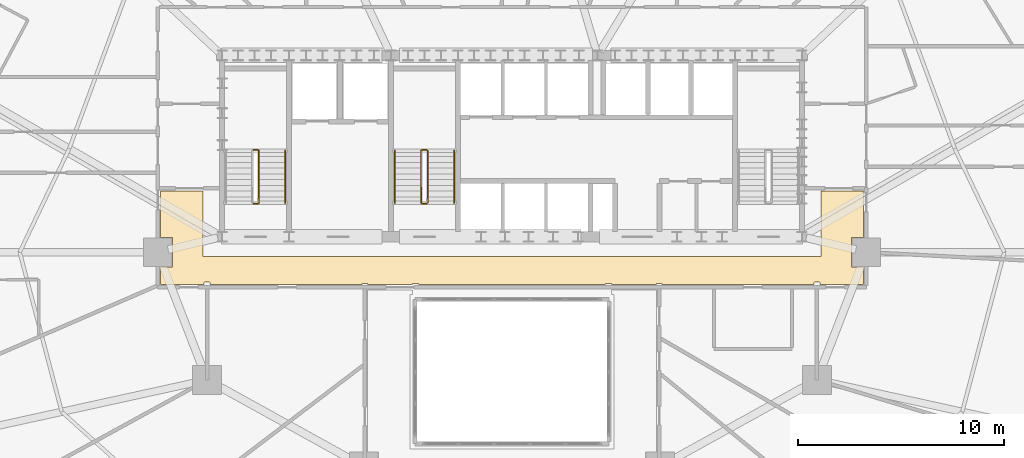
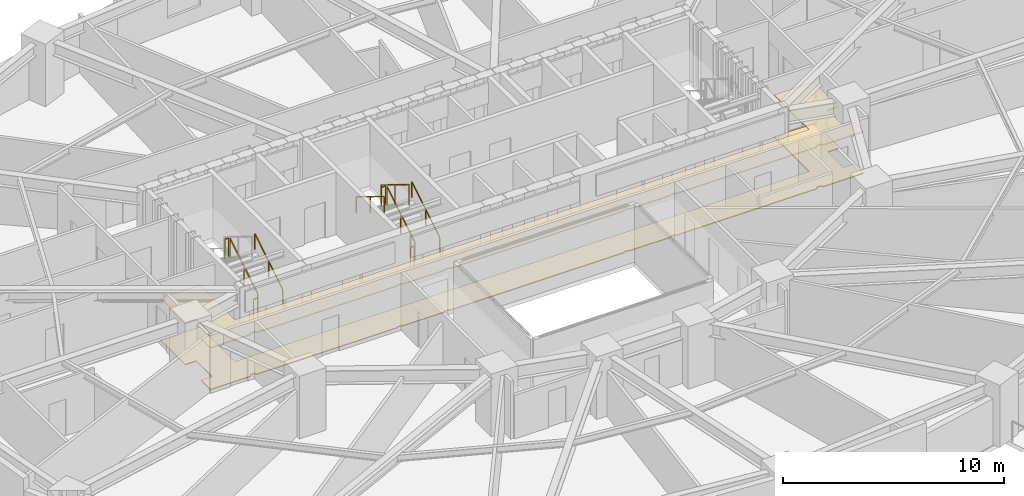
# One storey, part 15 of 17: 10 railings, 2 coverings.
"""IFC4 building model written with IfcOpenShell, lengths in metres."""

from ifc_helpers import new_model, si_unit, direction, frame, origin, origin_2d, place, context, subcontext, project, spatial, polyline, rectangle, outline, extrude, material, layer, layer_set, type_object, element, save


model = new_model("IFC4")

# Units and contexts
model_context = context("Model", 3, precision=1e-05, world=origin(), true_north=direction((0.0, 1.0)))
body_context = subcontext(model_context, "Body", "Model", "MODEL_VIEW")
ifc_project = project(units=[si_unit("LENGTHUNIT", "METRE"), si_unit("AREAUNIT", "SQUARE_METRE"), si_unit("VOLUMEUNIT", "CUBIC_METRE"), si_unit("PLANEANGLEUNIT", "RADIAN"), si_unit("MASSUNIT", "GRAM", prefix="KILO")], contexts=[model_context])

# Site, building, storey
site_placement = place(None, origin())
site = spatial("IfcSite", under=ifc_project, at=site_placement, CompositionType="ELEMENT")
building_placement = place(site_placement, origin())
building = spatial("IfcBuilding", under=site, at=building_placement, Name="Haldorwick Loom Tower", CompositionType="ELEMENT")
storey_placement = place(building_placement, frame((0.0, 0.0, 44.699951171875)))
storey = spatial("IfcBuildingStorey", under=building, at=storey_placement, Name="L11", CompositionType="ELEMENT", Elevation=44.699951171875)

# Coverings
ifc_material_1 = material(Name="Mineral Fibre Acoustic Ceiling Tile")
ifc_layer_1 = layer(ifc_material_1, 0.054931640625, Name="Mineral Fibre Acoustic Ceiling Tile")
ifc_layer_set_1 = layer_set([ifc_layer_1], Name="Mineral Fibre Acoustic Ceiling Tile")
covering_type_1 = type_object("IfcCoveringType", Name="ARC-COV-CEIL2", PredefinedType="CEILING", material=ifc_layer_set_1)
covering_1_placement = place(storey_placement, frame((0.0, 0.0, 2.302001953125)))
element("IfcCovering", 1, at=covering_1_placement, inside=storey, type_object=covering_type_1, Name="L11 Acoustic Suspended Ceiling 2", PredefinedType="CEILING", context=body_context, shape_type="SweptSolid", body=[
    extrude(outline(polyline([(51.0, 28.9599609375), (51.0, 25.800048828125), (21.0, 25.800048828125), (21.0, 28.9599609375), (18.93994140625, 28.9599609375), (18.93994140625, 26.7080078125), (19.508056640625, 26.7080078125), (19.508056640625, 25.2919921875), (18.93994140625, 25.2919921875), (18.93994140625, 24.43994140625), (21.06005859375, 24.43994140625), (21.06005859375, 24.52001953125), (21.06005859375, 24.52197265625), (21.060302734375, 24.52392578125), (21.060791015625, 24.52587890625), (21.0615234375, 24.527587890625), (21.0625, 24.529296875), (21.0634765625, 24.531005859375), (21.064453125, 24.53271484375), (21.06591796875, 24.5341796875), (21.0673828125, 24.535400390625), (21.06884765625, 24.53662109375), (21.070556640625, 24.53759765625), (21.072265625, 24.53857421875), (21.07421875, 24.5390625), (21.076171875, 24.53955078125), (21.077880859375, 24.539794921875), (21.080078125, 24.5400390625), (21.320068359375, 24.5400390625), (21.322021484375, 24.539794921875), (21.323974609375, 24.53955078125), (21.32568359375, 24.5390625), (21.32763671875, 24.53857421875), (21.329345703125, 24.53759765625), (21.3310546875, 24.53662109375), (21.332763671875, 24.535400390625), (21.333984375, 24.5341796875), (21.33544921875, 24.53271484375), (21.336669921875, 24.531005859375), (21.337646484375, 24.529296875), (21.33837890625, 24.527587890625), (21.339111328125, 24.52587890625), (21.339599609375, 24.52392578125), (21.33984375, 24.52197265625), (21.340087890625, 24.52001953125), (21.340087890625, 24.43994140625), (28.7099609375, 24.43994140625), (28.7099609375, 24.469970703125), (28.710205078125, 24.471923828125), (28.71044921875, 24.473876953125), (28.7109375, 24.475830078125), (28.71142578125, 24.477783203125), (28.71240234375, 24.4794921875), (28.71337890625, 24.481201171875), (28.714599609375, 24.482666015625), (28.7158203125, 24.484130859375), (28.71728515625, 24.485595703125), (28.718994140625, 24.486572265625), (28.720703125, 24.487548828125), (28.722412109375, 24.488525390625), (28.72412109375, 24.489013671875), (28.72607421875, 24.489501953125), (28.72802734375, 24.489990234375), (28.72998046875, 24.489990234375), (28.969970703125, 24.489990234375), (28.971923828125, 24.489990234375), (28.973876953125, 24.489501953125), (28.975830078125, 24.489013671875), (28.977783203125, 24.488525390625), (28.9794921875, 24.487548828125), (28.981201171875, 24.486572265625), (28.982666015625, 24.485595703125), (28.984130859375, 24.484130859375), (28.985595703125, 24.482666015625), (28.986572265625, 24.481201171875), (28.987548828125, 24.4794921875), (28.988525390625, 24.477783203125), (28.989013671875, 24.475830078125), (28.989501953125, 24.473876953125), (28.989990234375, 24.471923828125), (28.989990234375, 24.469970703125), (28.989990234375, 24.43994140625), (31.179931640625, 24.43994140625), (31.179931640625, 24.469970703125), (31.18017578125, 24.471923828125), (31.180419921875, 24.473876953125), (31.180908203125, 24.475830078125), (31.181396484375, 24.477783203125), (31.182373046875, 24.4794921875), (31.183349609375, 24.481201171875), (31.1845703125, 24.482666015625), (31.185791015625, 24.484130859375), (31.187255859375, 24.485595703125), (31.18896484375, 24.486572265625), (31.190673828125, 24.487548828125), (31.1923828125, 24.488525390625), (31.194091796875, 24.489013671875), (31.196044921875, 24.489501953125), (31.197998046875, 24.489990234375), (31.199951171875, 24.489990234375), (31.43994140625, 24.489990234375), (31.44189453125, 24.489990234375), (31.44384765625, 24.489501953125), (31.44580078125, 24.489013671875), (31.44775390625, 24.488525390625), (31.449462890625, 24.487548828125), (31.451171875, 24.486572265625), (31.45263671875, 24.485595703125), (31.4541015625, 24.484130859375), (31.45556640625, 24.482666015625), (31.45654296875, 24.481201171875), (31.45751953125, 24.4794921875), (31.45849609375, 24.477783203125), (31.458984375, 24.475830078125), (31.459716796875, 24.473876953125), (31.4599609375, 24.471923828125), (31.4599609375, 24.469970703125), (31.4599609375, 24.43994140625), (40.5400390625, 24.43994140625), (40.5400390625, 24.469970703125), (40.5400390625, 24.471923828125), (40.540283203125, 24.473876953125), (40.541015625, 24.475830078125), (40.54150390625, 24.477783203125), (40.54248046875, 24.4794921875), (40.54345703125, 24.481201171875), (40.54443359375, 24.482666015625), (40.5458984375, 24.484130859375), (40.54736328125, 24.485595703125), (40.548828125, 24.486572265625), (40.550537109375, 24.487548828125), (40.55224609375, 24.488525390625), (40.55419921875, 24.489013671875), (40.55615234375, 24.489501953125), (40.55810546875, 24.489990234375), (40.56005859375, 24.489990234375), (40.800048828125, 24.489990234375), (40.802001953125, 24.489990234375), (40.803955078125, 24.489501953125), (40.805908203125, 24.489013671875), (40.8076171875, 24.488525390625), (40.809326171875, 24.487548828125), (40.81103515625, 24.486572265625), (40.812744140625, 24.485595703125), (40.814208984375, 24.484130859375), (40.8154296875, 24.482666015625), (40.816650390625, 24.481201171875), (40.817626953125, 24.4794921875), (40.818603515625, 24.477783203125), (40.819091796875, 24.475830078125), (40.819580078125, 24.473876953125), (40.81982421875, 24.471923828125), (40.820068359375, 24.469970703125), (40.820068359375, 24.43994140625), (43.010009765625, 24.43994140625), (43.010009765625, 24.469970703125), (43.010009765625, 24.471923828125), (43.010498046875, 24.473876953125), (43.010986328125, 24.475830078125), (43.011474609375, 24.477783203125), (43.012451171875, 24.4794921875), (43.013427734375, 24.481201171875), (43.014404296875, 24.482666015625), (43.015869140625, 24.484130859375), (43.017333984375, 24.485595703125), (43.018798828125, 24.486572265625), (43.0205078125, 24.487548828125), (43.022216796875, 24.488525390625), (43.024169921875, 24.489013671875), (43.026123046875, 24.489501953125), (43.028076171875, 24.489990234375), (43.030029296875, 24.489990234375), (43.27001953125, 24.489990234375), (43.27197265625, 24.489990234375), (43.27392578125, 24.489501953125), (43.27587890625, 24.489013671875), (43.277587890625, 24.488525390625), (43.279296875, 24.487548828125), (43.281005859375, 24.486572265625), (43.28271484375, 24.485595703125), (43.2841796875, 24.484130859375), (43.285400390625, 24.482666015625), (43.28662109375, 24.481201171875), (43.28759765625, 24.4794921875), (43.28857421875, 24.477783203125), (43.2890625, 24.475830078125), (43.28955078125, 24.473876953125), (43.289794921875, 24.471923828125), (43.2900390625, 24.469970703125), (43.2900390625, 24.43994140625), (50.659912109375, 24.43994140625), (50.659912109375, 24.52001953125), (50.66015625, 24.52197265625), (50.660400390625, 24.52392578125), (50.660888671875, 24.52587890625), (50.66162109375, 24.527587890625), (50.662353515625, 24.529296875), (50.663330078125, 24.531005859375), (50.66455078125, 24.53271484375), (50.666015625, 24.5341796875), (50.667236328125, 24.535400390625), (50.6689453125, 24.53662109375), (50.670654296875, 24.53759765625), (50.67236328125, 24.53857421875), (50.67431640625, 24.5390625), (50.676025390625, 24.53955078125), (50.677978515625, 24.539794921875), (50.679931640625, 24.5400390625), (50.919921875, 24.5400390625), (50.922119140625, 24.539794921875), (50.923828125, 24.53955078125), (50.92578125, 24.5390625), (50.927734375, 24.53857421875), (50.929443359375, 24.53759765625), (50.93115234375, 24.53662109375), (50.9326171875, 24.535400390625), (50.93408203125, 24.5341796875), (50.935546875, 24.53271484375), (50.9365234375, 24.531005859375), (50.9375, 24.529296875), (50.9384765625, 24.527587890625), (50.939208984375, 24.52587890625), (50.939697265625, 24.52392578125), (50.93994140625, 24.52197265625), (50.93994140625, 24.52001953125), (50.93994140625, 24.43994140625), (53.06005859375, 24.43994140625), (53.06005859375, 25.2919921875), (52.491943359375, 25.2919921875), (52.491943359375, 26.7080078125), (53.06005859375, 26.7080078125), (53.06005859375, 28.9599609375), (51.0, 28.9599609375)])), origin(), (0.0, 0.0, 1.0), 0.054931640625),
])
ifc_material_2 = material(Name="Polished Aggregate Terrazzo Finish")
ifc_layer_2 = layer(ifc_material_2, 0.044921875, Name="Polished Aggregate Terrazzo Finish")
ifc_layer_set_2 = layer_set([ifc_layer_2], Name="Polished Aggregate Terrazzo Finish")
covering_type_2 = type_object("IfcCoveringType", Name="ARC-COV-FLOOR2", PredefinedType="FLOORING", material=ifc_layer_set_2)
covering_2_placement = place(storey_placement, origin())
element("IfcCovering", 2, at=covering_2_placement, inside=storey, type_object=covering_type_2, Name="L11 Floor Finish 2", PredefinedType="FLOORING", context=body_context, shape_type="SweptSolid", body=[
    extrude(outline(polyline([(51.0, 28.9599609375), (51.0, 25.800048828125), (21.0, 25.800048828125), (21.0, 28.9599609375), (18.93994140625, 28.9599609375), (18.93994140625, 26.7080078125), (19.508056640625, 26.7080078125), (19.508056640625, 25.2919921875), (18.93994140625, 25.2919921875), (18.93994140625, 24.43994140625), (21.06005859375, 24.43994140625), (21.06005859375, 24.52001953125), (21.06005859375, 24.52197265625), (21.060302734375, 24.52392578125), (21.060791015625, 24.52587890625), (21.0615234375, 24.527587890625), (21.0625, 24.529296875), (21.0634765625, 24.531005859375), (21.064453125, 24.53271484375), (21.06591796875, 24.5341796875), (21.0673828125, 24.535400390625), (21.06884765625, 24.53662109375), (21.070556640625, 24.53759765625), (21.072265625, 24.53857421875), (21.07421875, 24.5390625), (21.076171875, 24.53955078125), (21.077880859375, 24.539794921875), (21.080078125, 24.5400390625), (21.320068359375, 24.5400390625), (21.322021484375, 24.539794921875), (21.323974609375, 24.53955078125), (21.32568359375, 24.5390625), (21.32763671875, 24.53857421875), (21.329345703125, 24.53759765625), (21.3310546875, 24.53662109375), (21.332763671875, 24.535400390625), (21.333984375, 24.5341796875), (21.33544921875, 24.53271484375), (21.336669921875, 24.531005859375), (21.337646484375, 24.529296875), (21.33837890625, 24.527587890625), (21.339111328125, 24.52587890625), (21.339599609375, 24.52392578125), (21.33984375, 24.52197265625), (21.340087890625, 24.52001953125), (21.340087890625, 24.43994140625), (28.7099609375, 24.43994140625), (28.7099609375, 24.469970703125), (28.710205078125, 24.471923828125), (28.71044921875, 24.473876953125), (28.7109375, 24.475830078125), (28.71142578125, 24.477783203125), (28.71240234375, 24.4794921875), (28.71337890625, 24.481201171875), (28.714599609375, 24.482666015625), (28.7158203125, 24.484130859375), (28.71728515625, 24.485595703125), (28.718994140625, 24.486572265625), (28.720703125, 24.487548828125), (28.722412109375, 24.488525390625), (28.72412109375, 24.489013671875), (28.72607421875, 24.489501953125), (28.72802734375, 24.489990234375), (28.72998046875, 24.489990234375), (28.969970703125, 24.489990234375), (28.971923828125, 24.489990234375), (28.973876953125, 24.489501953125), (28.975830078125, 24.489013671875), (28.977783203125, 24.488525390625), (28.9794921875, 24.487548828125), (28.981201171875, 24.486572265625), (28.982666015625, 24.485595703125), (28.984130859375, 24.484130859375), (28.985595703125, 24.482666015625), (28.986572265625, 24.481201171875), (28.987548828125, 24.4794921875), (28.988525390625, 24.477783203125), (28.989013671875, 24.475830078125), (28.989501953125, 24.473876953125), (28.989990234375, 24.471923828125), (28.989990234375, 24.469970703125), (28.989990234375, 24.43994140625), (31.179931640625, 24.43994140625), (31.179931640625, 24.469970703125), (31.18017578125, 24.471923828125), (31.180419921875, 24.473876953125), (31.180908203125, 24.475830078125), (31.181396484375, 24.477783203125), (31.182373046875, 24.4794921875), (31.183349609375, 24.481201171875), (31.1845703125, 24.482666015625), (31.185791015625, 24.484130859375), (31.187255859375, 24.485595703125), (31.18896484375, 24.486572265625), (31.190673828125, 24.487548828125), (31.1923828125, 24.488525390625), (31.194091796875, 24.489013671875), (31.196044921875, 24.489501953125), (31.197998046875, 24.489990234375), (31.199951171875, 24.489990234375), (31.43994140625, 24.489990234375), (31.44189453125, 24.489990234375), (31.44384765625, 24.489501953125), (31.44580078125, 24.489013671875), (31.44775390625, 24.488525390625), (31.449462890625, 24.487548828125), (31.451171875, 24.486572265625), (31.45263671875, 24.485595703125), (31.4541015625, 24.484130859375), (31.45556640625, 24.482666015625), (31.45654296875, 24.481201171875), (31.45751953125, 24.4794921875), (31.45849609375, 24.477783203125), (31.458984375, 24.475830078125), (31.459716796875, 24.473876953125), (31.4599609375, 24.471923828125), (31.4599609375, 24.469970703125), (31.4599609375, 24.43994140625), (40.5400390625, 24.43994140625), (40.5400390625, 24.469970703125), (40.5400390625, 24.471923828125), (40.540283203125, 24.473876953125), (40.541015625, 24.475830078125), (40.54150390625, 24.477783203125), (40.54248046875, 24.4794921875), (40.54345703125, 24.481201171875), (40.54443359375, 24.482666015625), (40.5458984375, 24.484130859375), (40.54736328125, 24.485595703125), (40.548828125, 24.486572265625), (40.550537109375, 24.487548828125), (40.55224609375, 24.488525390625), (40.55419921875, 24.489013671875), (40.55615234375, 24.489501953125), (40.55810546875, 24.489990234375), (40.56005859375, 24.489990234375), (40.800048828125, 24.489990234375), (40.802001953125, 24.489990234375), (40.803955078125, 24.489501953125), (40.805908203125, 24.489013671875), (40.8076171875, 24.488525390625), (40.809326171875, 24.487548828125), (40.81103515625, 24.486572265625), (40.812744140625, 24.485595703125), (40.814208984375, 24.484130859375), (40.8154296875, 24.482666015625), (40.816650390625, 24.481201171875), (40.817626953125, 24.4794921875), (40.818603515625, 24.477783203125), (40.819091796875, 24.475830078125), (40.819580078125, 24.473876953125), (40.81982421875, 24.471923828125), (40.820068359375, 24.469970703125), (40.820068359375, 24.43994140625), (43.010009765625, 24.43994140625), (43.010009765625, 24.469970703125), (43.010009765625, 24.471923828125), (43.010498046875, 24.473876953125), (43.010986328125, 24.475830078125), (43.011474609375, 24.477783203125), (43.012451171875, 24.4794921875), (43.013427734375, 24.481201171875), (43.014404296875, 24.482666015625), (43.015869140625, 24.484130859375), (43.017333984375, 24.485595703125), (43.018798828125, 24.486572265625), (43.0205078125, 24.487548828125), (43.022216796875, 24.488525390625), (43.024169921875, 24.489013671875), (43.026123046875, 24.489501953125), (43.028076171875, 24.489990234375), (43.030029296875, 24.489990234375), (43.27001953125, 24.489990234375), (43.27197265625, 24.489990234375), (43.27392578125, 24.489501953125), (43.27587890625, 24.489013671875), (43.277587890625, 24.488525390625), (43.279296875, 24.487548828125), (43.281005859375, 24.486572265625), (43.28271484375, 24.485595703125), (43.2841796875, 24.484130859375), (43.285400390625, 24.482666015625), (43.28662109375, 24.481201171875), (43.28759765625, 24.4794921875), (43.28857421875, 24.477783203125), (43.2890625, 24.475830078125), (43.28955078125, 24.473876953125), (43.289794921875, 24.471923828125), (43.2900390625, 24.469970703125), (43.2900390625, 24.43994140625), (50.659912109375, 24.43994140625), (50.659912109375, 24.52001953125), (50.66015625, 24.52197265625), (50.660400390625, 24.52392578125), (50.660888671875, 24.52587890625), (50.66162109375, 24.527587890625), (50.662353515625, 24.529296875), (50.663330078125, 24.531005859375), (50.66455078125, 24.53271484375), (50.666015625, 24.5341796875), (50.667236328125, 24.535400390625), (50.6689453125, 24.53662109375), (50.670654296875, 24.53759765625), (50.67236328125, 24.53857421875), (50.67431640625, 24.5390625), (50.676025390625, 24.53955078125), (50.677978515625, 24.539794921875), (50.679931640625, 24.5400390625), (50.919921875, 24.5400390625), (50.922119140625, 24.539794921875), (50.923828125, 24.53955078125), (50.92578125, 24.5390625), (50.927734375, 24.53857421875), (50.929443359375, 24.53759765625), (50.93115234375, 24.53662109375), (50.9326171875, 24.535400390625), (50.93408203125, 24.5341796875), (50.935546875, 24.53271484375), (50.9365234375, 24.531005859375), (50.9375, 24.529296875), (50.9384765625, 24.527587890625), (50.939208984375, 24.52587890625), (50.939697265625, 24.52392578125), (50.93994140625, 24.52197265625), (50.93994140625, 24.52001953125), (50.93994140625, 24.43994140625), (53.06005859375, 24.43994140625), (53.06005859375, 25.2919921875), (52.491943359375, 25.2919921875), (52.491943359375, 26.7080078125), (53.06005859375, 26.7080078125), (53.06005859375, 28.9599609375), (51.0, 28.9599609375)])), origin(), (0.0, 0.0, 1.0), 0.045166015625),
])

# Railings
ifc_material_3 = material(Name="Steel CSA G40.21 350W", Category="steel")
railing_type_1 = type_object("IfcRailingType", Name="ARC-RLG-GUARD112", PredefinedType="GUARDRAIL", material=ifc_material_3)
railing_1_placement = place(storey_placement, frame((23.699951171875, 28.39990234375, 0.172607421875)))
element("IfcRailing", 3, at=railing_1_placement, inside=storey, type_object=railing_type_1, Name="L11 ST-01 stair guard 1", PredefinedType="GUARDRAIL", context=body_context, shape_type="SweptSolid", body=[
    extrude(rectangle(XDim=0.048095703125, YDim=0.048095703125, at=origin_2d()), frame((0.0, 0.0, 1.076171875), z_axis=(0.0, 0.851400495292, 0.524516154772), x_axis=(-1.0, 0.0, 0.0)), (0.0, 0.0, 1.0), 2.9599609375),
    extrude(rectangle(XDim=0.0419921875, YDim=0.0419921875, at=origin_2d()), origin(), (0.0, 0.0, 1.0), 1.052001953125),
    extrude(rectangle(XDim=0.0419921875, YDim=0.0419921875, at=origin_2d()), frame((0.0, 1.260009765625, 0.7763671875)), (0.0, 0.0, 1.0), 1.052001953125),
    extrude(rectangle(XDim=0.0419921875, YDim=0.0419921875, at=origin_2d()), frame((0.0, 2.52001953125, 1.552490234375)), (0.0, 0.0, 1.0), 1.052001953125),
])
for number, where, name in (
    (4, (23.64990234375, 30.969970703125, 1.72509765625), "L11 ST-01 stair guard 2"),
    (5, (23.64990234375, 28.35009765625, 0.0), "L11 ST-01 stair guard 4"),
):
    element("IfcRailing", number, at=place(storey_placement, frame(where)), inside=storey, type_object=railing_type_1, Name=name, PredefinedType="GUARDRAIL", context=body_context, shape_type="SweptSolid", body=[
        extrude(rectangle(XDim=0.048095703125, YDim=0.048095703125, at=origin_2d()), frame((0.0, 0.0, 1.076171875), z_axis=(-1.0, 0.0, 0.0), x_axis=(0.0, -1.0, 0.0)), (0.0, 0.0, 1.0), 0.199951171875),
        extrude(rectangle(XDim=0.0419921875, YDim=0.0419921875, at=origin_2d()), origin(), (0.0, 0.0, 1.0), 1.052001953125),
        extrude(rectangle(XDim=0.0419921875, YDim=0.0419921875, at=origin_2d()), frame((-0.199951171875, 0.0, 0.0)), (0.0, 0.0, 1.0), 1.052001953125),
    ])
railing_2_placement = place(storey_placement, frame((31.89990234375, 28.39990234375, 0.172607421875)))
element("IfcRailing", 6, at=railing_2_placement, inside=storey, type_object=railing_type_1, Name="L11 ST-03 stair guard 1", PredefinedType="GUARDRAIL", context=body_context, shape_type="SweptSolid", body=[
    extrude(rectangle(XDim=0.048095703125, YDim=0.048095703125, at=origin_2d()), frame((0.0, 0.0, 1.076171875), z_axis=(0.0, 0.851400495292, 0.524516154772), x_axis=(-1.0, 0.0, 0.0)), (0.0, 0.0, 1.0), 2.9599609375),
    extrude(rectangle(XDim=0.0419921875, YDim=0.0419921875, at=origin_2d()), origin(), (0.0, 0.0, 1.0), 1.052001953125),
    extrude(rectangle(XDim=0.0419921875, YDim=0.0419921875, at=origin_2d()), frame((0.0, 1.260009765625, 0.7763671875)), (0.0, 0.0, 1.0), 1.052001953125),
    extrude(rectangle(XDim=0.0419921875, YDim=0.0419921875, at=origin_2d()), frame((0.0, 2.52001953125, 1.552490234375)), (0.0, 0.0, 1.0), 1.052001953125),
])
railing_3_placement = place(storey_placement, frame((31.85009765625, 30.969970703125, 1.72509765625)))
element("IfcRailing", 7, at=railing_3_placement, inside=storey, type_object=railing_type_1, Name="L11 ST-03 stair guard 2", PredefinedType="GUARDRAIL", context=body_context, shape_type="SweptSolid", body=[
    extrude(rectangle(XDim=0.048095703125, YDim=0.048095703125, at=origin_2d()), frame((0.0, 0.0, 1.076171875), z_axis=(-1.0, 0.0, 0.0), x_axis=(0.0, -1.0, 0.0)), (0.0, 0.0, 1.0), 0.2001953125),
    extrude(rectangle(XDim=0.0419921875, YDim=0.0419921875, at=origin_2d()), origin(), (0.0, 0.0, 1.0), 1.052001953125),
    extrude(rectangle(XDim=0.0419921875, YDim=0.0419921875, at=origin_2d()), frame((-0.2001953125, 0.0, 0.0)), (0.0, 0.0, 1.0), 1.052001953125),
])
railing_4_placement = place(storey_placement, frame((31.60009765625, 30.919921875, 1.8974609375)))
element("IfcRailing", 8, at=railing_4_placement, inside=storey, type_object=railing_type_1, Name="L11 ST-03 stair guard 3", PredefinedType="GUARDRAIL", context=body_context, shape_type="SweptSolid", body=[
    extrude(rectangle(XDim=0.048095703125, YDim=0.048095703125, at=origin_2d()), frame((0.0, 0.0, 1.076171875), z_axis=(0.0, -0.851400495292, 0.524516154772), x_axis=(1.0, 0.0, 0.0)), (0.0, 0.0, 1.0), 2.9599609375),
    extrude(rectangle(XDim=0.0419921875, YDim=0.0419921875, at=origin_2d()), origin(), (0.0, 0.0, 1.0), 1.052001953125),
    extrude(rectangle(XDim=0.0419921875, YDim=0.0419921875, at=origin_2d()), frame((0.0, -1.260009765625, 0.7763671875)), (0.0, 0.0, 1.0), 1.052001953125),
    extrude(rectangle(XDim=0.0419921875, YDim=0.0419921875, at=origin_2d()), frame((0.0, -2.52001953125, 1.552490234375)), (0.0, 0.0, 1.0), 1.052001953125),
])
railing_5_placement = place(storey_placement, frame((31.85009765625, 28.35009765625, 0.0)))
element("IfcRailing", 9, at=railing_5_placement, inside=storey, type_object=railing_type_1, Name="L11 ST-03 stair guard 4", PredefinedType="GUARDRAIL", context=body_context, shape_type="SweptSolid", body=[
    extrude(rectangle(XDim=0.048095703125, YDim=0.048095703125, at=origin_2d()), frame((0.0, 0.0, 1.076171875), z_axis=(-1.0, 0.0, 0.0), x_axis=(0.0, -1.0, 0.0)), (0.0, 0.0, 1.0), 0.2001953125),
    extrude(rectangle(XDim=0.0419921875, YDim=0.0419921875, at=origin_2d()), origin(), (0.0, 0.0, 1.0), 1.052001953125),
    extrude(rectangle(XDim=0.0419921875, YDim=0.0419921875, at=origin_2d()), frame((-0.2001953125, 0.0, 0.0)), (0.0, 0.0, 1.0), 1.052001953125),
])
railing_type_2 = type_object("IfcRailingType", Name="ARC-RLG-HAND092", PredefinedType="HANDRAIL", material=ifc_material_3)
for number, where, name in (
    (10, (25.0, 28.39990234375, 0.172607421875), "L11 ST-01 stair handrail 1"),
    (11, (33.199951171875, 28.39990234375, 0.172607421875), "L11 ST-03 stair handrail 1"),
):
    element("IfcRailing", number, at=place(storey_placement, frame(where)), inside=storey, type_object=railing_type_2, Name=name, PredefinedType="HANDRAIL", context=body_context, shape_type="SweptSolid", body=[
        extrude(rectangle(XDim=0.048095703125, YDim=0.048095703125, at=origin_2d()), frame((0.0, 0.0, 0.8759765625), z_axis=(0.0, 0.851400495292, 0.524516154772), x_axis=(-1.0, 0.0, 0.0)), (0.0, 0.0, 1.0), 2.9599609375),
        extrude(rectangle(XDim=0.0419921875, YDim=0.0419921875, at=origin_2d()), origin(), (0.0, 0.0, 1.0), 0.851806640625),
        extrude(rectangle(XDim=0.0419921875, YDim=0.0419921875, at=origin_2d()), frame((0.0, 1.260009765625, 0.7763671875)), (0.0, 0.0, 1.0), 0.851806640625),
        extrude(rectangle(XDim=0.0419921875, YDim=0.0419921875, at=origin_2d()), frame((0.0, 2.52001953125, 1.552490234375)), (0.0, 0.0, 1.0), 0.851806640625),
    ])
railing_6_placement = place(storey_placement, frame((30.300048828125, 30.919921875, 1.8974609375)))
element("IfcRailing", 12, at=railing_6_placement, inside=storey, type_object=railing_type_2, Name="L11 ST-03 stair handrail 2", PredefinedType="HANDRAIL", context=body_context, shape_type="SweptSolid", body=[
    extrude(rectangle(XDim=0.048095703125, YDim=0.048095703125, at=origin_2d()), frame((0.0, 0.0, 0.8759765625), z_axis=(0.0, -0.851400495292, 0.524516154772), x_axis=(1.0, 0.0, 0.0)), (0.0, 0.0, 1.0), 2.9599609375),
    extrude(rectangle(XDim=0.0419921875, YDim=0.0419921875, at=origin_2d()), origin(), (0.0, 0.0, 1.0), 0.851806640625),
    extrude(rectangle(XDim=0.0419921875, YDim=0.0419921875, at=origin_2d()), frame((0.0, -1.260009765625, 0.7763671875)), (0.0, 0.0, 1.0), 0.851806640625),
    extrude(rectangle(XDim=0.0419921875, YDim=0.0419921875, at=origin_2d()), frame((0.0, -2.52001953125, 1.552490234375)), (0.0, 0.0, 1.0), 0.851806640625),
])

save(model, "model.ifc")
